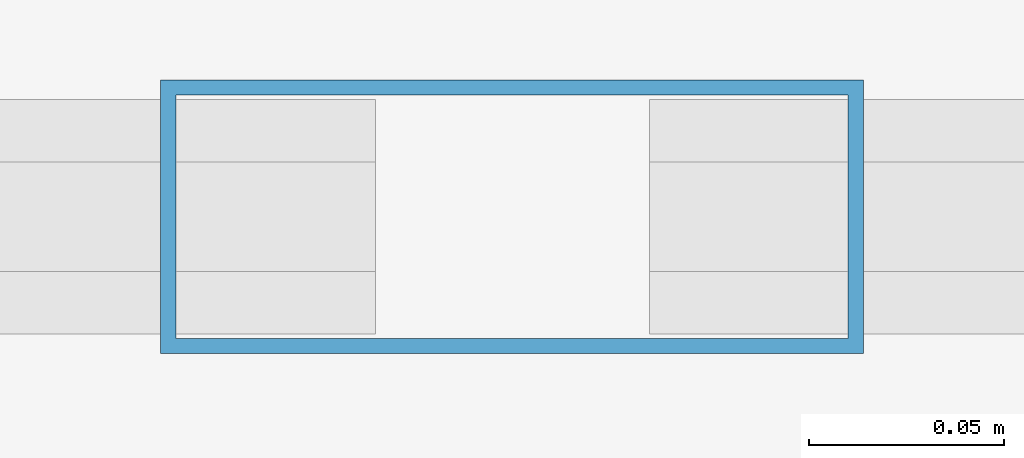
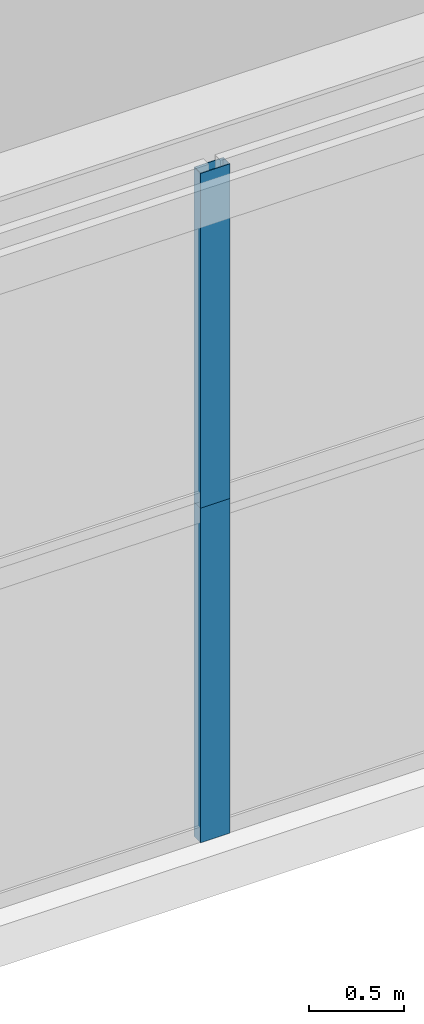
# One storey, part 8 of 26: 2 members, 2 elements without a shape of their own.
"""IFC4 building model written with IfcOpenShell, lengths in metres."""

from ifc_helpers import new_model, si_unit, direction, frame, origin, origin_2d, place, context, subcontext, project, spatial, hollow_rectangle, extrude, source, transform, mapped, material, layer, layer_set, material_profile, profile_set, type_object, element, aggregate, save


model = new_model("IFC4")

# Units and contexts
model_context = context("Model", 3, precision=1e-05, world=origin(), true_north=direction((0.0, 1.0)))
body_context = subcontext(model_context, "Body", "Model", "MODEL_VIEW")
ifc_project = project(units=[si_unit("LENGTHUNIT", "METRE"), si_unit("AREAUNIT", "SQUARE_METRE"), si_unit("VOLUMEUNIT", "CUBIC_METRE"), si_unit("PLANEANGLEUNIT", "RADIAN"), si_unit("MASSUNIT", "GRAM", prefix="KILO")], contexts=[model_context])

# Site, building, storey
site_placement = place(None, origin())
site = spatial("IfcSite", under=ifc_project, at=site_placement, CompositionType="ELEMENT")
building_placement = place(site_placement, origin())
building = spatial("IfcBuilding", under=site, at=building_placement, Name="Taldren Reach Tower", CompositionType="ELEMENT")
storey_placement = place(building_placement, frame((0.0, 0.0, 8.39990234375)))
storey = spatial("IfcBuildingStorey", under=building, at=storey_placement, Name="L02", CompositionType="ELEMENT", Elevation=8.39990234375)

# Curtain wall, member
ifc_material_1 = material(Name="Aluminium and Low-E Glass Unitised System", Category="aluminium")
ifc_layer = layer(ifc_material_1, 0.159912109375)
ifc_layer_set = layer_set([ifc_layer], Name="Aluminium and Low-E Glass Unitised System")
curtain_wall_type = type_object("IfcCurtainWallType", Name="CW-SYS-1", PredefinedType="NOTDEFINED", material=ifc_layer_set)
curtain_wall_1_placement = place(storey_placement, origin())
curtain_wall_1 = element("IfcCurtainWall", 1, at=curtain_wall_1_placement, inside=storey, type_object=curtain_wall_type, Name="Unitised curtain wall CW1-L02-S1", PredefinedType="NOTDEFINED")
ifc_material_2 = material(Name="Anodised Aluminium 6063-T6", Category="aluminium")
ifc_material_profile = material_profile(ifc_material_2, hollow_rectangle(XDim=0.070068359375, YDim=0.179931640625, WallThickness=0.00390625, at=origin_2d()), Name="ALU-180x70x4RHS")
ifc_profile_set = profile_set([ifc_material_profile], Name="Anodised Aluminium 6063-T6")
member_type = type_object("IfcMemberType", Name="CW-MUL-180", PredefinedType="MULLION", material=ifc_profile_set)
shared_shape = source(origin(), body_context, "Body", "SweptSolid", [
    extrude(hollow_rectangle(XDim=0.070068359375, YDim=0.179931640625, WallThickness=0.00390625, at=origin_2d()), origin(), (0.0, 0.0, 1.0), 2.14501953125),
])
member_1_placement = place(storey_placement, frame((13.39990234375, 0.169921875, 0.0), z_axis=(0.0, 0.0, 1.0), x_axis=(0.0, 1.0, 0.0)))
member_1 = element("IfcMember", 2, at=member_1_placement, type_object=member_type, Name="CW-1 mullion 2", PredefinedType="MULLION", context=body_context, shape_type="MappedRepresentation", body=[
    mapped(shared_shape, transform((0.0, 0.0, 0.0), scale=1.0)),
])
aggregate(curtain_wall_1, [member_1])

curtain_wall_2_placement = place(storey_placement, origin())
curtain_wall_2 = element("IfcCurtainWall", 3, at=curtain_wall_2_placement, inside=storey, type_object=curtain_wall_type, Name="Unitised curtain wall CW1-L02-S1-T2", PredefinedType="NOTDEFINED")
member_2_placement = place(storey_placement, frame((13.39990234375, 0.169921875, 2.14501953125), z_axis=(0.0, 0.0, 1.0), x_axis=(0.0, 1.0, 0.0)))
member_2 = element("IfcMember", 4, at=member_2_placement, type_object=member_type, Name="CW-1 mullion 2", PredefinedType="MULLION", context=body_context, shape_type="MappedRepresentation", body=[
    mapped(shared_shape, transform((0.0, 0.0, 0.0), scale=1.0)),
])
aggregate(curtain_wall_2, [member_2])

save(model, "model.ifc")
